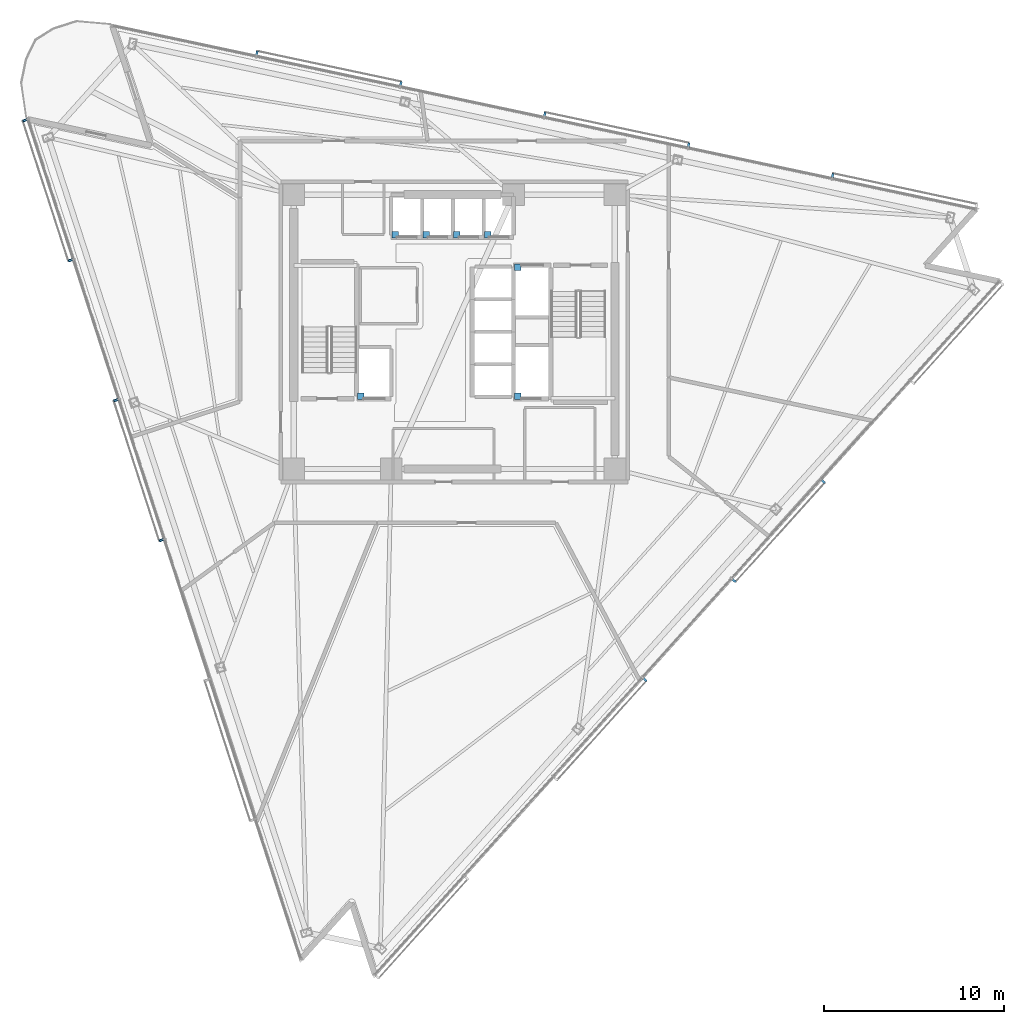
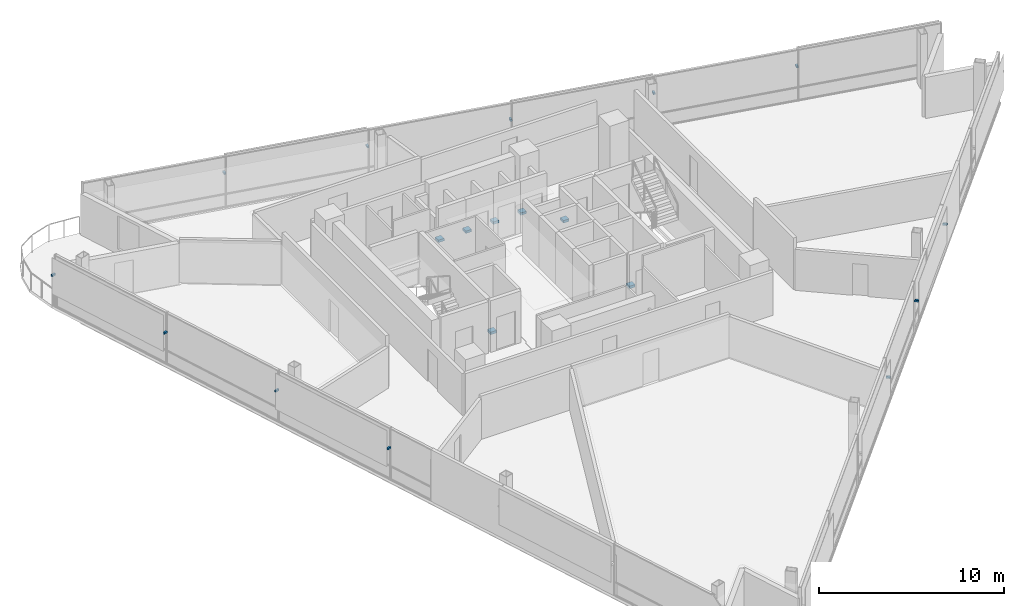
# One storey, part 13 of 17: 19 discrete accessories.
"""IFC4 building model written with IfcOpenShell, lengths in metres."""

from ifc_helpers import new_model, si_unit, direction, frame, origin, origin_2d, place, context, subcontext, project, spatial, rectangle, extrude, material, type_object, element, save


model = new_model("IFC4")

# Units and contexts
model_context = context("Model", 3, precision=1e-05, world=origin(), true_north=direction((0.0, 1.0)))
body_context = subcontext(model_context, "Body", "Model", "MODEL_VIEW")
ifc_project = project(units=[si_unit("LENGTHUNIT", "METRE"), si_unit("AREAUNIT", "SQUARE_METRE"), si_unit("VOLUMEUNIT", "CUBIC_METRE"), si_unit("PLANEANGLEUNIT", "RADIAN"), si_unit("MASSUNIT", "GRAM", prefix="KILO")], contexts=[model_context])

# Site, building, storey
site_placement = place(None, origin())
site = spatial("IfcSite", under=ifc_project, at=site_placement, CompositionType="ELEMENT")
building_placement = place(site_placement, origin())
building = spatial("IfcBuilding", under=site, at=building_placement, Name="Tharavind Bronze Gate", CompositionType="ELEMENT")
storey_placement = place(building_placement, frame((0.0, 0.0, 200.449951171875)))
storey = spatial("IfcBuildingStorey", under=building, at=storey_placement, Name="L51", CompositionType="ELEMENT", Elevation=200.449951171875)

# Discrete accessories
ifc_material_1 = material(Name="Galvanised Steel S355", Category="steel")
discrete_accessory_type_1 = type_object("IfcDiscreteAccessoryType", Name="LIFT GUIDE RAIL BRACKET", PredefinedType="BRACKET", material=ifc_material_1)
for number, where, z_axis, x_axis, name in (
    (1, (-3.280029296875, 5.3701171875, 1.1201171875), (0.0, 0.0, 1.0), (1.0, 0.0, 0.0), "Lift PL5 guide rail bracket at L51"),
    (2, (-1.5673828125, 5.3701171875, 1.1201171875), (0.0, 0.0, 1.0), (1.0, 0.0, 0.0), "Lift PL6 guide rail bracket at L51"),
    (3, (0.14501953125, 5.3701171875, 1.1201171875), (0.0, 0.0, 1.0), (1.0, 0.0, 0.0), "Lift PL7 guide rail bracket at L51"),
    (4, (1.857421875, 5.3701171875, 1.1201171875), (0.0, 0.0, 1.0), (1.0, 0.0, 0.0), "Lift PL8 guide rail bracket at L51"),
    (5, (-5.179931640625, -3.580078125, 1.1201171875), (0.0, 0.0, 1.0), (1.0, 0.0, 0.0), "Lift FFL1 guide rail bracket at L51"),
    (6, (3.5, 3.580078125, 1.1201171875), (0.0, 0.0, 1.0), (1.0, 0.0, 0.0), "Lift FFL2 guide rail bracket at L51"),
    (7, (3.5, -3.580078125, 1.1201171875), (0.0, 0.0, 1.0), (1.0, 0.0, 0.0), "Lift SVL1 guide rail bracket at L51"),
):
    element("IfcDiscreteAccessory", number, at=place(storey_placement, frame(where, z_axis=z_axis, x_axis=x_axis)), inside=storey, type_object=discrete_accessory_type_1, Name=name, PredefinedType="BRACKET", context=body_context, shape_type="SweptSolid", body=[
        extrude(rectangle(XDim=0.360107421875, YDim=0.360107421875, at=origin_2d()), origin(), (0.0, 0.0, 1.0), 0.159912109375),
    ])
ifc_material_2 = material(Name="Stainless Steel 316", Category="steel")
discrete_accessory_type_2 = type_object("IfcDiscreteAccessoryType", Name="SOLAR SCREEN STANDOFF BRACKET", PredefinedType="BRACKET", material=ifc_material_2)
for number, where, z_axis, x_axis, name in (
    (8, (-23.801513671875, 11.724853515625, 2.10009765625), (0.0, 0.0, 1.0), (0.309016994375, -0.951056516295, 0.0), "CW-L51-S1 solar screen bracket 1.1"),
    (9, (-21.281005859375, 3.96826171875, 2.10009765625), (0.0, 0.0, 1.0), (0.309016994375, -0.951056516295, 0.0), "CW-L51-S1 solar screen bracket 1.2"),
    (10, (-18.760986328125, -3.7880859375, 2.10009765625), (0.0, 0.0, 1.0), (0.309016994375, -0.951056516295, 0.0), "CW-L51-S1 solar screen bracket 3.1"),
    (11, (-16.240478515625, -11.544677734375, 2.10009765625), (0.0, 0.0, 1.0), (0.309016994375, -0.951056516295, 0.0), "CW-L51-S1 solar screen bracket 3.2"),
    (12, (10.55517578125, -19.275634765625, 2.10009765625), (0.0, 0.0, 1.0), (0.669130606359, 0.743144825477, 0.0), "CW-L51-S2 solar screen bracket 3.2"),
    (13, (15.49951171875, -13.7841796875, 2.10009765625), (0.0, 0.0, 1.0), (0.669130606359, 0.743144825477, 0.0), "CW-L51-S2 solar screen bracket 5.1"),
    (14, (20.444091796875, -8.292724609375, 2.10009765625), (0.0, 0.0, 1.0), (0.669130606359, 0.743144825477, 0.0), "CW-L51-S2 solar screen bracket 5.2"),
    (15, (20.965087890625, 8.665283203125, 2.10009765625), (0.0, 0.0, 1.0), (-0.978147600734, 0.207911690818, 0.0), "CW-L51-S3 solar screen bracket 1.2"),
    (16, (12.98779296875, 10.361083984375, 2.10009765625), (0.0, 0.0, 1.0), (-0.978147600734, 0.207911690818, 0.0), "CW-L51-S3 solar screen bracket 3.1"),
    (17, (5.01025390625, 12.056640625, 2.10009765625), (0.0, 0.0, 1.0), (-0.978147600734, 0.207911690818, 0.0), "CW-L51-S3 solar screen bracket 3.2"),
    (18, (-2.96728515625, 13.752197265625, 2.10009765625), (0.0, 0.0, 1.0), (-0.978147600734, 0.207911690818, 0.0), "CW-L51-S3 solar screen bracket 5.1"),
    (19, (-10.94482421875, 15.447998046875, 2.10009765625), (0.0, 0.0, 1.0), (-0.978147600734, 0.207911690818, 0.0), "CW-L51-S3 solar screen bracket 5.2"),
):
    element("IfcDiscreteAccessory", number, at=place(storey_placement, frame(where, z_axis=z_axis, x_axis=x_axis)), inside=storey, type_object=discrete_accessory_type_2, Name=name, PredefinedType="BRACKET", context=body_context, shape_type="SweptSolid", body=[
        extrude(rectangle(XDim=0.1201171875, YDim=0.239990234375, at=origin_2d()), origin(), (0.0, 0.0, 1.0), 0.1201171875),
    ])

save(model, "model.ifc")
